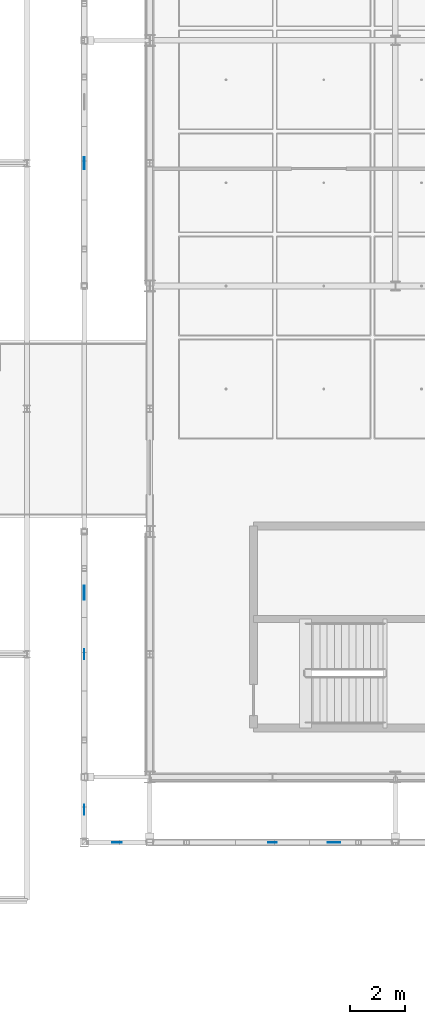
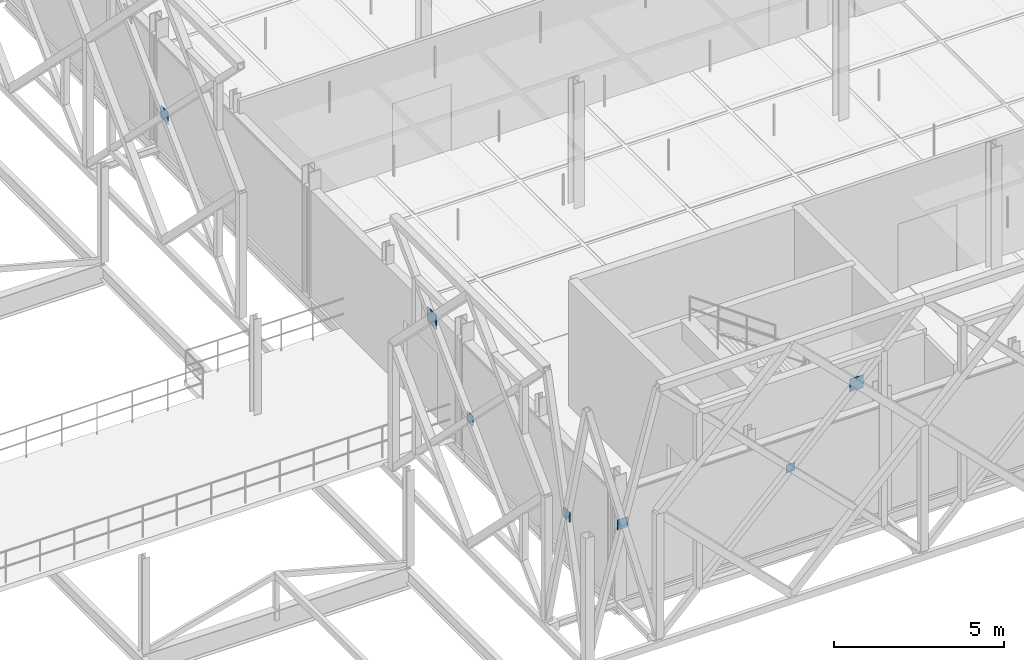
# One storey, part 79 of 140: 7 plates.
"""IFC4 building model written with IfcOpenShell, lengths in metres."""

from ifc_helpers import new_model, si_unit, direction, frame, origin, origin_2d, place, context, subcontext, project, spatial, rectangle, extrude, material, layer, layer_set, type_object, element, save


model = new_model("IFC4")

# Units and contexts
model_context = context("Model", 3, precision=1e-05, world=origin(), true_north=direction((0.0, 1.0)))
body_context = subcontext(model_context, "Body", "Model", "MODEL_VIEW")
ifc_project = project(units=[si_unit("LENGTHUNIT", "METRE"), si_unit("AREAUNIT", "SQUARE_METRE"), si_unit("VOLUMEUNIT", "CUBIC_METRE"), si_unit("PLANEANGLEUNIT", "RADIAN"), si_unit("MASSUNIT", "GRAM", prefix="KILO"), si_unit("THERMODYNAMICTEMPERATUREUNIT", "KELVIN"), si_unit("POWERUNIT", "WATT")], contexts=[model_context])

# Site, building, storey
site_placement = place(None, origin())
site = spatial("IfcSite", under=ifc_project, at=site_placement, CompositionType="ELEMENT")
building_placement = place(site_placement, origin())
building = spatial("IfcBuilding", under=site, at=building_placement, Name="Tallowbark Science Centre", CompositionType="ELEMENT")
storey_placement = place(building_placement, frame((0.0, 0.0, 9.89990234375)))
storey = spatial("IfcBuildingStorey", under=building, at=storey_placement, Name="L02", CompositionType="ELEMENT", Elevation=9.89990234375)

# Plates
ifc_material = material(Name="Structural Steel Grade 300PLUS (300 MPa)", Category="steel")
ifc_layer_1 = layer(ifc_material, 0.010009765625)
ifc_layer_set_1 = layer_set([ifc_layer_1], Name="Structural Steel Grade 300PLUS (300 MPa)")
plate_type_1 = type_object("IfcPlateType", Name="PLT-GUS-10", PredefinedType="SHEET", material=ifc_layer_set_1)
plate_1_placement = place(storey_placement, frame((63.0, 2.10009765625, 4.35009765625), z_axis=(0.0, 0.0, 1.0), x_axis=(1.0, 0.0, 0.0)))
element("IfcPlate", 1, at=plate_1_placement, inside=storey, type_object=plate_type_1, Name="Star X-Brace Crossing Gusset Plate S-17", PredefinedType="SHEET", context=body_context, shape_type="SweptSolid", body=[
    extrude(rectangle(XDim=0.300048828125, YDim=0.010009765625, at=origin_2d()), origin(), (0.0, 0.0, 1.0), 0.300048828125),
])
ifc_layer_2 = layer(ifc_material, 0.01611328125)
ifc_layer_set_2 = layer_set([ifc_layer_2], Name="Structural Steel Grade 300PLUS (300 MPa)")
plate_type_2 = type_object("IfcPlateType", Name="PLT-GUS-16", PredefinedType="SHEET", material=ifc_layer_set_2)
for number, where, z_axis, x_axis, name in (
    (2, (56.10009765625, 9.0, 4.31982421875), (0.0, 0.0, 1.0), (0.0, 1.0, 0.0), "Star X-Brace Crossing Gusset Plate W-28"),
    (3, (57.300048828125, 2.10009765625, 4.31982421875), (0.0, 0.0, 1.0), (1.0, 0.0, 0.0), "Star Screen Corner X-Brace Gusset SWX-L02"),
    (4, (56.10009765625, 3.300048828125, 4.31982421875), (0.0, 0.0, 1.0), (0.0, 1.0, 0.0), "Star Screen Corner X-Brace Gusset SWY-L02"),
):
    element("IfcPlate", number, at=place(storey_placement, frame(where, z_axis=z_axis, x_axis=x_axis)), inside=storey, type_object=plate_type_2, Name=name, PredefinedType="SHEET", context=body_context, shape_type="SweptSolid", body=[
        extrude(rectangle(XDim=0.360107421875, YDim=0.01611328125, at=origin_2d()), origin(), (0.0, 0.0, 1.0), 0.360107421875),
    ])
ifc_layer_3 = layer(ifc_material, 0.02392578125)
ifc_layer_set_3 = layer_set([ifc_layer_3], Name="Structural Steel Grade 300PLUS (300 MPa)")
plate_type_3 = type_object("IfcPlateType", Name="PLT-GUS-24", PredefinedType="SHEET", material=ifc_layer_set_3)
plate_2_placement = place(storey_placement, frame((56.10009765625, 27.0, 4.280029296875), z_axis=(0.0, 0.0, 1.0), x_axis=(0.0, 1.0, 0.0)))
element("IfcPlate", 5, at=plate_2_placement, inside=storey, type_object=plate_type_3, Name="Star X-Brace Crossing Gusset Plate W-32", PredefinedType="SHEET", context=body_context, shape_type="SweptSolid", body=[
    extrude(rectangle(XDim=0.43994140625, YDim=0.02392578125, at=origin_2d()), origin(), (0.0, 0.0, 1.0), 0.43994140625),
])
ifc_layer_4 = layer(ifc_material, 0.02587890625)
ifc_layer_set_4 = layer_set([ifc_layer_4], Name="Structural Steel Grade 300PLUS (300 MPa)")
plate_type_4 = type_object("IfcPlateType", Name="PLT-GUS-26", PredefinedType="SHEET", material=ifc_layer_set_4)
plate_3_placement = place(storey_placement, frame((65.25, 2.10009765625, 6.52001953125), z_axis=(0.0, 0.0, 1.0), x_axis=(1.0, 0.0, 0.0)))
element("IfcPlate", 6, at=plate_3_placement, inside=storey, type_object=plate_type_4, Name="Star Primary Chord Crossing Gusset Plate S-17", PredefinedType="SHEET", context=body_context, shape_type="SweptSolid", body=[
    extrude(rectangle(XDim=0.4599609375, YDim=0.02587890625, at=origin_2d()), origin(), (0.0, 0.0, 1.0), 0.4599609375),
])
ifc_layer_5 = layer(ifc_material, 0.031982421875)
ifc_layer_set_5 = layer_set([ifc_layer_5], Name="Structural Steel Grade 300PLUS (300 MPa)")
plate_type_5 = type_object("IfcPlateType", Name="PLT-GUS-32", PredefinedType="SHEET", material=ifc_layer_set_5)
plate_4_placement = place(storey_placement, frame((56.10009765625, 11.25, 6.489990234375), z_axis=(0.0, 0.0, 1.0), x_axis=(0.0, 1.0, 0.0)))
element("IfcPlate", 7, at=plate_4_placement, inside=storey, type_object=plate_type_5, Name="Star Primary Chord Crossing Gusset Plate W-28", PredefinedType="SHEET", context=body_context, shape_type="SweptSolid", body=[
    extrude(rectangle(XDim=0.52001953125, YDim=0.031982421875, at=origin_2d()), origin(), (0.0, 0.0, 1.0), 0.52001953125),
])

save(model, "model.ifc")
